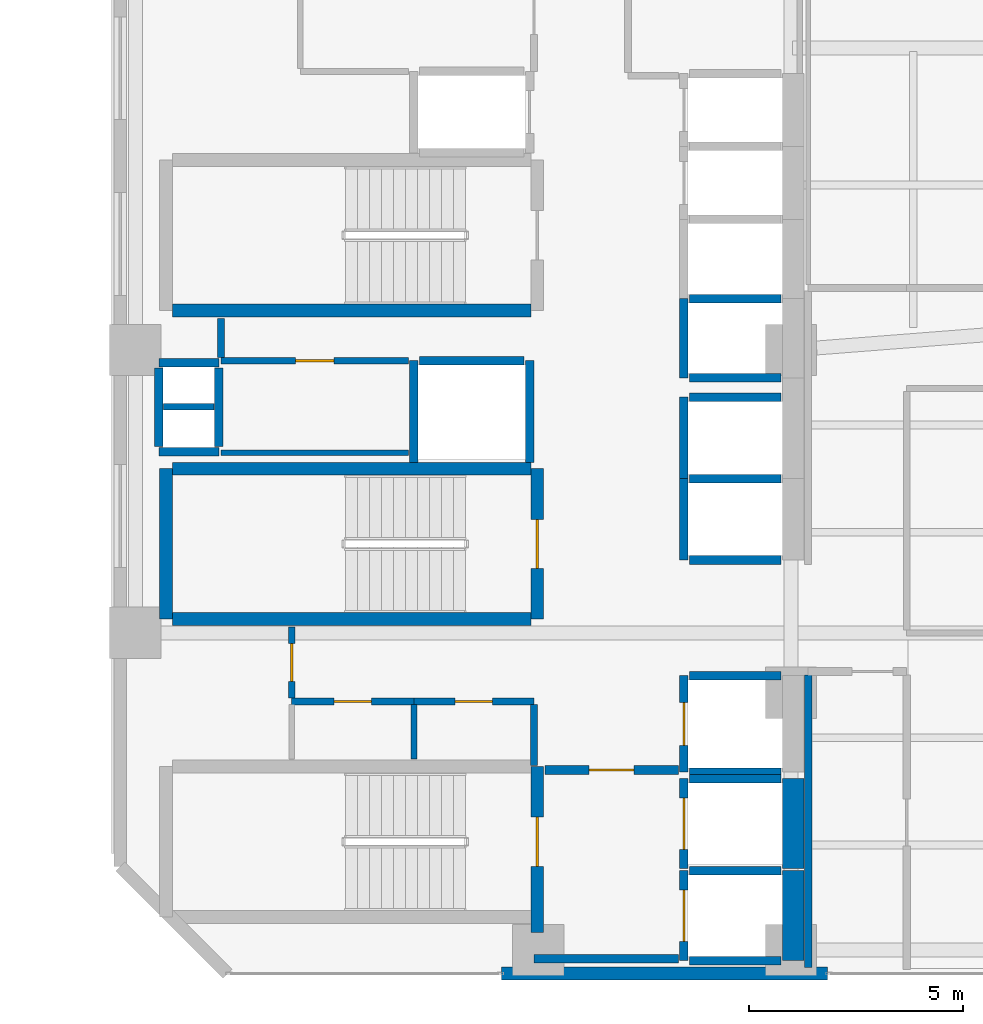
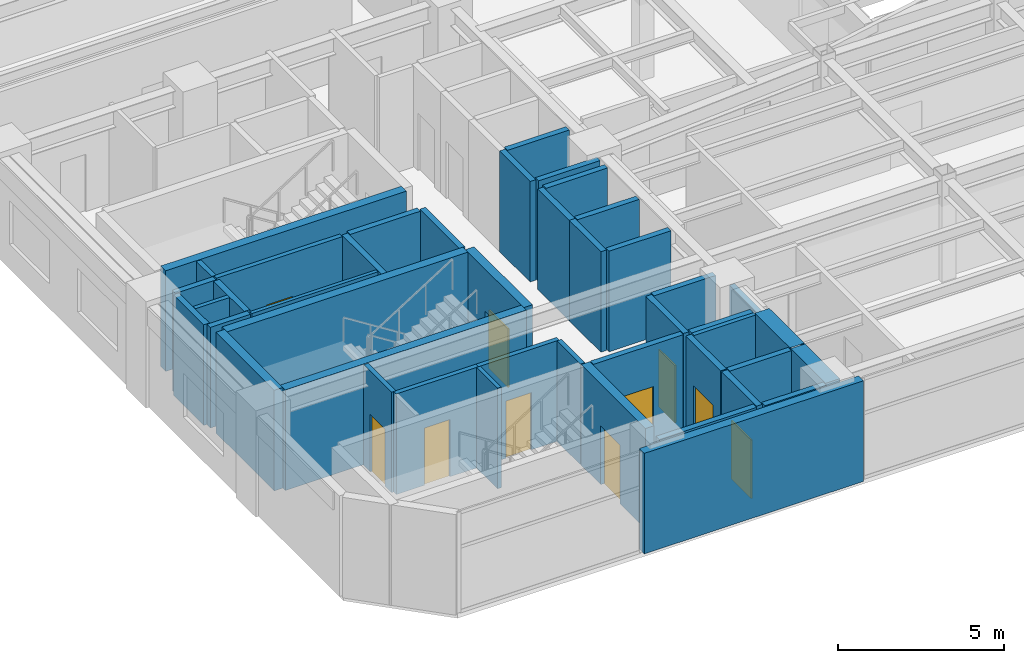
# One storey, part 9 of 15: 44 walls, 10 doors, 10 openings.
"""IFC4 building model written with IfcOpenShell, lengths in metres."""

from ifc_helpers import new_model, si_unit, direction, frame, frame_2d, origin, place, context, subcontext, project, spatial, rectangle, extrude, material, layer, layer_set, type_object, element, fill, save


model = new_model("IFC4")

# Units and contexts
model_context = context("Model", 3, precision=1e-05, world=origin(), true_north=direction((0.0, 1.0)))
body_context = subcontext(model_context, "Body", "Model", "MODEL_VIEW")
ifc_project = project(units=[si_unit("LENGTHUNIT", "METRE"), si_unit("AREAUNIT", "SQUARE_METRE"), si_unit("VOLUMEUNIT", "CUBIC_METRE"), si_unit("PLANEANGLEUNIT", "RADIAN"), si_unit("MASSUNIT", "GRAM", prefix="KILO")], contexts=[model_context])

# Site, building, storey
site_placement = place(None, origin())
site = spatial("IfcSite", under=ifc_project, at=site_placement, CompositionType="ELEMENT")
building_placement = place(site_placement, origin())
building = spatial("IfcBuilding", under=site, at=building_placement, Name="Mawjaban Terraces University", CompositionType="ELEMENT")
storey_placement = place(building_placement, frame((0.0, 0.0, 119.0)))
storey = spatial("IfcBuildingStorey", under=building, at=storey_placement, Name="L28", CompositionType="ELEMENT", Elevation=119.0)

# Walls
ifc_material_1 = material(Name="Acoustic masonry blockwork", Category="masonry")
ifc_layer_1 = layer(ifc_material_1, 0.179931640625)
ifc_layer_set_1 = layer_set([ifc_layer_1], Name="Acoustic masonry blockwork")
wall_type_1 = type_object("IfcWallType", Name="AcousticStudioWall_180", PredefinedType="PARTITIONING", material=ifc_layer_set_1)
wall_1_placement = place(storey_placement, frame((38.050048828125, 6.965087890625, 0.0), z_axis=(0.0, 0.0, 1.0), x_axis=(0.0, -1.0, 0.0)))
element("IfcWall", 1, at=wall_1_placement, inside=storey, type_object=wall_type_1, Name="L28 Design Studio 1 Partition 38", PredefinedType="PARTITIONING", context=body_context, shape_type="SweptSolid", body=[
    extrude(rectangle(XDim=6.820068359375, YDim=0.179931640625, at=frame_2d((3.41015625, 0.0))), origin(), (0.0, 0.0, 1.0), 3.073974609375),
])
ifc_material_2 = material(Name="Concrete C60/75", Category="concrete")
ifc_layer_2 = layer(ifc_material_2, 0.5)
ifc_layer_set_2 = layer_set([ifc_layer_2], Name="Concrete C60/75")
wall_type_2 = type_object("IfcWallType", Name="CoreShearWall_500", PredefinedType="SHEAR", material=ifc_layer_set_2)
wall_2_placement = place(storey_placement, frame((37.699951171875, 0.300048828125, 0.0), z_axis=(0.0, 0.0, 1.0), x_axis=(0.0, 1.0, 0.0)))
element("IfcWall", 2, at=wall_2_placement, inside=storey, type_object=wall_type_2, Name="L28 Lift FL-1 Hoistway Wall East", PredefinedType="SHEAR", context=body_context, shape_type="SweptSolid", body=[
    extrude(rectangle(XDim=2.099853515625, YDim=0.5, at=frame_2d((1.0498046875, 0.0))), origin(), (0.0, 0.0, 1.0), 3.68994140625),
])
wall_3_placement = place(storey_placement, frame((37.699951171875, 2.449951171875, 0.0), z_axis=(0.0, 0.0, 1.0), x_axis=(0.0, 1.0, 0.0)))
element("IfcWall", 3, at=wall_3_placement, inside=storey, type_object=wall_type_2, Name="L28 Lift FL-2 Hoistway Wall East", PredefinedType="SHEAR", context=body_context, shape_type="SweptSolid", body=[
    extrude(rectangle(XDim=2.10009765625, YDim=0.5, at=frame_2d((1.050048828125, 0.0))), origin(), (0.0, 0.0, 1.0), 3.68994140625),
])

# Wall, opening, door
ifc_material_3 = material(Name="Fire-rated gypsum board on steel stud", Category="steel")
ifc_layer_3 = layer(ifc_material_3, 0.159912109375)
ifc_layer_set_3 = layer_set([ifc_layer_3], Name="Fire-rated gypsum board on steel stud")
wall_type_3 = type_object("IfcWallType", Name="CorridorPartition_160", PredefinedType="PARTITIONING", material=ifc_layer_set_3)
wall_4_placement = place(storey_placement, frame((24.35009765625, 14.300048828125, 0.0), z_axis=(0.0, 0.0, 1.0), x_axis=(1.0, 0.0, 0.0)))
wall_4 = element("IfcWall", 4, at=wall_4_placement, inside=storey, type_object=wall_type_3, Name="L28 Core Riser Access Passage Partition 2", PredefinedType="PARTITIONING", context=body_context, shape_type="SweptSolid", body=[
    extrude(rectangle(XDim=4.369873046875, YDim=0.159912109375, at=frame_2d((2.18505859375, 0.0))), origin(), (0.0, 0.0, 1.0), 3.68994140625),
])
opening_1_placement = place(wall_4_placement, frame((1.735107421875, 0.0, 0.0)))
opening_1 = element("IfcOpeningElement", 5, at=opening_1_placement, cuts=wall_4, Name="Opening ID-090", PredefinedType="OPENING", context=body_context, shape_type="SweptSolid", body=[
    extrude(rectangle(XDim=0.89990234375, YDim=2.10009765625, at=frame_2d((0.449951171875, 1.050048828125))), frame((0.0, 0.08984375, 0.0), z_axis=(0.0, -1.0, 0.0), x_axis=(1.0, 0.0, 0.0)), (0.0, 0.0, 1.0), 0.179931640625),
])
ifc_material_4 = material(Name="Powder-coated steel frame and solid acoustic timber leaf", Category="steel")
door_type_1 = type_object("IfcDoorType", Name="OfficeDoor_900x2100", OperationType="NOTDEFINED", PredefinedType="DOOR", material=ifc_material_4)
door_1_placement = place(opening_1_placement, origin())
door_1 = element("IfcDoor", 6, at=door_1_placement, inside=storey, type_object=door_type_1, Name="L28 Cleaner Store Door", OperationType="SINGLE_SWING_LEFT", OverallHeight=2.10009765625, OverallWidth=0.89990234375, PredefinedType="DOOR", context=body_context, shape_type="SweptSolid", body=[
    extrude(rectangle(XDim=0.89990234375, YDim=2.10009765625, at=frame_2d((0.449951171875, 1.050048828125))), frame((0.0, 0.02490234375, 0.0), z_axis=(0.0, -1.0, 0.0), x_axis=(1.0, 0.0, 0.0)), (0.0, 0.0, 1.0), 0.050048828125),
])
fill(opening_1, door_1)

wall_5_placement = place(storey_placement, frame((26.0, 6.35009765625, 0.0), z_axis=(0.0, 0.0, 1.0), x_axis=(1.0, 0.0, 0.0)))
wall_5 = element("IfcWall", 7, at=wall_5_placement, inside=storey, type_object=wall_type_3, Name="L28 Core Washroom Lobby Partition 3", PredefinedType="PARTITIONING", context=body_context, shape_type="SweptSolid", body=[
    extrude(rectangle(XDim=2.85009765625, YDim=0.159912109375, at=frame_2d((1.425048828125, 0.0))), origin(), (0.0, 0.0, 1.0), 3.68994140625),
])
opening_2_placement = place(wall_5_placement, frame((0.985107421875, 0.0, 0.0)))
opening_2 = element("IfcOpeningElement", 8, at=opening_2_placement, cuts=wall_5, Name="Opening ID-088", PredefinedType="OPENING", context=body_context, shape_type="SweptSolid", body=[
    extrude(rectangle(XDim=0.8798828125, YDim=2.10009765625, at=frame_2d((0.43994140625, 1.050048828125))), frame((0.0, 0.08984375, 0.0), z_axis=(0.0, -1.0, 0.0), x_axis=(1.0, 0.0, 0.0)), (0.0, 0.0, 1.0), 0.179931640625),
])
door_type_2 = type_object("IfcDoorType", Name="ToiletDoor_880x2100", OperationType="NOTDEFINED", PredefinedType="DOOR", material=ifc_material_4)
door_2_placement = place(opening_2_placement, origin())
door_2 = element("IfcDoor", 9, at=door_2_placement, inside=storey, type_object=door_type_2, Name="L28 Male Toilet Door", OperationType="SINGLE_SWING_LEFT", OverallHeight=2.10009765625, OverallWidth=0.8798828125, PredefinedType="DOOR", context=body_context, shape_type="SweptSolid", body=[
    extrude(rectangle(XDim=0.8798828125, YDim=2.10009765625, at=frame_2d((0.43994140625, 1.050048828125))), frame((0.0, 0.02490234375, 0.0), z_axis=(0.0, -1.0, 0.0), x_axis=(1.0, 0.0, 0.0)), (0.0, 0.0, 1.0), 0.050048828125),
])
fill(opening_2, door_2)

wall_6_placement = place(storey_placement, frame((28.85009765625, 6.35009765625, 0.0), z_axis=(0.0, 0.0, 1.0), x_axis=(1.0, 0.0, 0.0)))
wall_6 = element("IfcWall", 10, at=wall_6_placement, inside=storey, type_object=wall_type_3, Name="L28 Core Washroom Lobby Partition 6", PredefinedType="PARTITIONING", context=body_context, shape_type="SweptSolid", body=[
    extrude(rectangle(XDim=2.7998046875, YDim=0.159912109375, at=frame_2d((1.39990234375, 0.0))), origin(), (0.0, 0.0, 1.0), 3.68994140625),
])
opening_3_placement = place(wall_6_placement, frame((0.9599609375, 0.0, 0.0)))
opening_3 = element("IfcOpeningElement", 11, at=opening_3_placement, cuts=wall_6, Name="Opening ID-088", PredefinedType="OPENING", context=body_context, shape_type="SweptSolid", body=[
    extrude(rectangle(XDim=0.8798828125, YDim=2.10009765625, at=frame_2d((0.43994140625, 1.050048828125))), frame((0.0, 0.08984375, 0.0), z_axis=(0.0, -1.0, 0.0), x_axis=(1.0, 0.0, 0.0)), (0.0, 0.0, 1.0), 0.179931640625),
])
door_3_placement = place(opening_3_placement, origin())
door_3 = element("IfcDoor", 12, at=door_3_placement, inside=storey, type_object=door_type_2, Name="L28 Accessible Toilet Door", OperationType="SINGLE_SWING_RIGHT", OverallHeight=2.10009765625, OverallWidth=0.8798828125, PredefinedType="DOOR", context=body_context, shape_type="SweptSolid", body=[
    extrude(rectangle(XDim=0.8798828125, YDim=2.10009765625, at=frame_2d((0.43994140625, 1.050048828125))), frame((0.0, 0.02490234375, 0.0), z_axis=(0.0, -1.0, 0.0), x_axis=(1.0, 0.0, 0.0)), (0.0, 0.0, 1.0), 0.050048828125),
])
fill(opening_3, door_3)

# Wall
wall_7_placement = place(storey_placement, frame((24.35009765625, 15.2900390625, 0.0), z_axis=(0.0, 0.0, 1.0), x_axis=(0.0, -1.0, 0.0)))
element("IfcWall", 13, at=wall_7_placement, inside=storey, type_object=wall_type_3, Name="L28 Core Riser Access Passage Partition 23", PredefinedType="PARTITIONING", context=body_context, shape_type="SweptSolid", body=[
    extrude(rectangle(XDim=0.9150390625, YDim=0.159912109375, at=frame_2d((0.45751953125, 0.0))), origin(), (0.0, 0.0, 1.0), 3.68994140625),
])

# Wall, opening, door
wall_8_placement = place(storey_placement, frame((26.0, 8.090087890625, 0.0), z_axis=(0.0, 0.0, 1.0), x_axis=(0.0, -1.0, 0.0)))
wall_8 = element("IfcWall", 14, at=wall_8_placement, inside=storey, type_object=wall_type_3, Name="L28 Core Washroom Lobby Partition 25", PredefinedType="PARTITIONING", context=body_context, shape_type="SweptSolid", body=[
    extrude(rectangle(XDim=1.6650390625, YDim=0.159912109375, at=frame_2d((0.83251953125, 0.0))), origin(), (0.0, 0.0, 1.0), 3.68994140625),
])
opening_4_placement = place(wall_8_placement, frame((0.39306640625, 0.0, 0.0)))
opening_4 = element("IfcOpeningElement", 15, at=opening_4_placement, cuts=wall_8, Name="Opening ID-088", PredefinedType="OPENING", context=body_context, shape_type="SweptSolid", body=[
    extrude(rectangle(XDim=0.8798828125, YDim=2.10009765625, at=frame_2d((0.43994140625, 1.050048828125))), frame((0.0, 0.08984375, 0.0), z_axis=(0.0, -1.0, 0.0), x_axis=(1.0, 0.0, 0.0)), (0.0, 0.0, 1.0), 0.179931640625),
])
door_4_placement = place(opening_4_placement, origin())
door_4 = element("IfcDoor", 16, at=door_4_placement, inside=storey, type_object=door_type_2, Name="L28 Ablution Room Door", OperationType="SINGLE_SWING_RIGHT", OverallHeight=2.10009765625, OverallWidth=0.8798828125, PredefinedType="DOOR", context=body_context, shape_type="SweptSolid", body=[
    extrude(rectangle(XDim=0.8798828125, YDim=2.10009765625, at=frame_2d((0.43994140625, 1.050048828125))), frame((0.0, 0.02490234375, 0.0), z_axis=(0.0, -1.0, 0.0), x_axis=(1.0, 0.0, 0.0)), (0.0, 0.0, 1.0), 0.050048828125),
])
fill(opening_4, door_4)

# Walls
wall_9_placement = place(storey_placement, frame((31.64990234375, 4.860107421875, 0.0), z_axis=(0.0, 0.0, 1.0), x_axis=(0.0, 1.0, 0.0)))
element("IfcWall", 17, at=wall_9_placement, inside=storey, type_object=wall_type_3, Name="L28 Accessible Toilet Partition 28", PredefinedType="PARTITIONING", context=body_context, shape_type="SweptSolid", body=[
    extrude(rectangle(XDim=1.414794921875, YDim=0.159912109375, at=frame_2d((0.70751953125, 0.0))), origin(), (0.0, 0.0, 1.0), 3.68994140625),
])
ifc_material_5 = material(Name="Insulated terracotta rainscreen on concrete backup C40/50", Category="masonry")
ifc_layer_4 = layer(ifc_material_5, 0.300048828125)
ifc_layer_set_4 = layer_set([ifc_layer_4], Name="Insulated terracotta rainscreen on concrete backup C40/50")
wall_type_4 = type_object("IfcWallType", Name="ExtTerracottaWall_300", PredefinedType="SOLIDWALL", material=ifc_layer_set_4)
wall_10_placement = place(storey_placement, frame((30.89990234375, 0.0, 0.0), z_axis=(0.0, 0.0, 1.0), x_axis=(1.0, 0.0, 0.0)))
element("IfcWall", 18, at=wall_10_placement, inside=storey, type_object=wall_type_4, Name="L28 Exterior Terracotta Pier Wall 1.1", PredefinedType="SOLIDWALL", context=body_context, shape_type="SweptSolid", body=[
    extrude(rectangle(XDim=7.60009765625, YDim=0.300048828125, at=frame_2d((3.800048828125, 0.0))), origin(), (0.0, 0.0, 1.0), 3.68994140625),
])

# Wall, opening, door
ifc_material_6 = material(Name="Concrete C40/50", Category="concrete")
ifc_layer_5 = layer(ifc_material_6, 0.199951171875)
ifc_layer_set_5 = layer_set([ifc_layer_5], Name="Concrete C40/50")
wall_type_5 = type_object("IfcWallType", Name="FireLobbyWall_200", PredefinedType="SOLIDWALL", material=ifc_layer_set_5)
wall_11_placement = place(storey_placement, frame((35.14990234375, 2.39990234375, 0.0), z_axis=(0.0, 0.0, 1.0), x_axis=(0.0, -1.0, 0.0)))
wall_11 = element("IfcWall", 19, at=wall_11_placement, inside=storey, type_object=wall_type_5, Name="L28 Lift FL-1 Hoistway Wall West", PredefinedType="SOLIDWALL", context=body_context, shape_type="SweptSolid", body=[
    extrude(rectangle(XDim=2.099853515625, YDim=0.199951171875, at=frame_2d((1.0498046875, 0.0))), origin(), (0.0, 0.0, 1.0), 3.68994140625),
])
opening_5_placement = place(wall_11_placement, frame((0.449951171875, 0.0, 0.0)))
opening_5 = element("IfcOpeningElement", 20, at=opening_5_placement, cuts=wall_11, Name="Opening LD-FL-1", PredefinedType="OPENING", context=body_context, shape_type="SweptSolid", body=[
    extrude(rectangle(XDim=1.199951171875, YDim=2.14990234375, at=frame_2d((0.60009765625, 1.074951171875))), frame((0.0, 0.10986328125, 0.0), z_axis=(0.0, -1.0, 0.0), x_axis=(1.0, 0.0, 0.0)), (0.0, 0.0, 1.0), 0.219970703125),
])
ifc_material_7 = material(Name="Powder-coated steel frame and fire-rated steel-faced leaf", Category="steel")
door_type_3 = type_object("IfcDoorType", Name="LiftLandingFSAE_1200x2150", OperationType="NOTDEFINED", PredefinedType="DOOR", material=ifc_material_7)
door_5_placement = place(opening_5_placement, origin())
door_5 = element("IfcDoor", 21, at=door_5_placement, inside=storey, type_object=door_type_3, Name="L28 Lift FL-1 Sliding Landing Door", OperationType="DOUBLE_DOOR_SLIDING", OverallHeight=2.14990234375, OverallWidth=1.199951171875, PredefinedType="DOOR", context=body_context, shape_type="SweptSolid", body=[
    extrude(rectangle(XDim=1.199951171875, YDim=2.14990234375, at=frame_2d((0.60009765625, 1.074951171875))), frame((0.0, 0.02490234375, 0.0), z_axis=(0.0, -1.0, 0.0), x_axis=(1.0, 0.0, 0.0)), (0.0, 0.0, 1.0), 0.050048828125),
])
fill(opening_5, door_5)

# Walls
for number, where, z_axis, x_axis, name in (
    (22, (35.280029296875, 0.300048828125, 0.0), (0.0, 0.0, 1.0), (1.0, 0.0, 0.0), "L28 Lift FL-1 Hoistway Wall South"),
    (23, (37.419921875, 2.39990234375, 0.0), (0.0, 0.0, 1.0), (-1.0, 0.0, 0.0), "L28 Lift FL-1 Hoistway Wall North"),
):
    element("IfcWall", number, at=place(storey_placement, frame(where, z_axis=z_axis, x_axis=x_axis)), inside=storey, type_object=wall_type_5, Name=name, PredefinedType="SOLIDWALL", context=body_context, shape_type="SweptSolid", body=[
        extrude(rectangle(XDim=2.139892578125, YDim=0.199951171875, at=frame_2d((1.06982421875, 0.0))), origin(), (0.0, 0.0, 1.0), 3.68994140625),
    ])

# Wall, opening, door
wall_12_placement = place(storey_placement, frame((35.14990234375, 4.550048828125, 0.0), z_axis=(0.0, 0.0, 1.0), x_axis=(0.0, -1.0, 0.0)))
wall_12 = element("IfcWall", 24, at=wall_12_placement, inside=storey, type_object=wall_type_5, Name="L28 Lift FL-2 Hoistway Wall West", PredefinedType="SOLIDWALL", context=body_context, shape_type="SweptSolid", body=[
    extrude(rectangle(XDim=2.10009765625, YDim=0.199951171875, at=frame_2d((1.050048828125, 0.0))), origin(), (0.0, 0.0, 1.0), 3.68994140625),
])
opening_6_placement = place(wall_12_placement, frame((0.449951171875, 0.0, 0.0)))
opening_6 = element("IfcOpeningElement", 25, at=opening_6_placement, cuts=wall_12, Name="Opening LD-FL-2", PredefinedType="OPENING", context=body_context, shape_type="SweptSolid", body=[
    extrude(rectangle(XDim=1.199951171875, YDim=2.14990234375, at=frame_2d((0.60009765625, 1.074951171875))), frame((0.0, 0.10986328125, 0.0), z_axis=(0.0, -1.0, 0.0), x_axis=(1.0, 0.0, 0.0)), (0.0, 0.0, 1.0), 0.219970703125),
])
door_6_placement = place(opening_6_placement, origin())
door_6 = element("IfcDoor", 26, at=door_6_placement, inside=storey, type_object=door_type_3, Name="L28 Lift FL-2 Sliding Landing Door", OperationType="DOUBLE_DOOR_SLIDING", OverallHeight=2.14990234375, OverallWidth=1.199951171875, PredefinedType="DOOR", context=body_context, shape_type="SweptSolid", body=[
    extrude(rectangle(XDim=1.199951171875, YDim=2.14990234375, at=frame_2d((0.60009765625, 1.074951171875))), frame((0.0, 0.02490234375, 0.0), z_axis=(0.0, -1.0, 0.0), x_axis=(1.0, 0.0, 0.0)), (0.0, 0.0, 1.0), 0.050048828125),
])
fill(opening_6, door_6)

# Wall
wall_13_placement = place(storey_placement, frame((37.419921875, 4.550048828125, 0.0), z_axis=(0.0, 0.0, 1.0), x_axis=(-1.0, 0.0, 0.0)))
element("IfcWall", 27, at=wall_13_placement, inside=storey, type_object=wall_type_5, Name="L28 Lift FL-2 Hoistway Wall North", PredefinedType="SOLIDWALL", context=body_context, shape_type="SweptSolid", body=[
    extrude(rectangle(XDim=2.139892578125, YDim=0.199951171875, at=frame_2d((1.06982421875, 0.0))), origin(), (0.0, 0.0, 1.0), 3.68994140625),
])

# Wall, opening, door
wall_14_placement = place(storey_placement, frame((35.14990234375, 6.949951171875, 0.0), z_axis=(0.0, 0.0, 1.0), x_axis=(0.0, -1.0, 0.0)))
wall_14 = element("IfcWall", 28, at=wall_14_placement, inside=storey, type_object=wall_type_5, Name="L28 Lift SL-1 Hoistway Wall West", PredefinedType="SOLIDWALL", context=body_context, shape_type="SweptSolid", body=[
    extrude(rectangle(XDim=2.25, YDim=0.199951171875, at=frame_2d((1.125, 0.0))), origin(), (0.0, 0.0, 1.0), 3.68994140625),
])
opening_7_placement = place(wall_14_placement, frame((0.625, 0.0, 0.0)))
opening_7 = element("IfcOpeningElement", 29, at=opening_7_placement, cuts=wall_14, Name="Opening LD-SL-1", PredefinedType="OPENING", context=body_context, shape_type="SweptSolid", body=[
    extrude(rectangle(XDim=1.0, YDim=2.10009765625, at=frame_2d((0.5, 1.050048828125))), frame((0.0, 0.10986328125, 0.0), z_axis=(0.0, -1.0, 0.0), x_axis=(1.0, 0.0, 0.0)), (0.0, 0.0, 1.0), 0.219970703125),
])
door_type_4 = type_object("IfcDoorType", Name="LiftLandingSliding_1000x2100", OperationType="NOTDEFINED", PredefinedType="DOOR", material=ifc_material_7)
door_7_placement = place(opening_7_placement, origin())
door_7 = element("IfcDoor", 30, at=door_7_placement, inside=storey, type_object=door_type_4, Name="L28 Lift SL-1 Sliding Landing Door", OperationType="DOUBLE_DOOR_SLIDING", OverallHeight=2.10009765625, OverallWidth=1.0, PredefinedType="DOOR", context=body_context, shape_type="SweptSolid", body=[
    extrude(rectangle(XDim=1.0, YDim=2.10009765625, at=frame_2d((0.5, 1.050048828125))), frame((0.0, 0.02490234375, 0.0), z_axis=(0.0, -1.0, 0.0), x_axis=(1.0, 0.0, 0.0)), (0.0, 0.0, 1.0), 0.050048828125),
])
fill(opening_7, door_7)

# Walls
for number, where, z_axis, x_axis, name in (
    (31, (35.280029296875, 4.699951171875, 0.0), (0.0, 0.0, 1.0), (1.0, 0.0, 0.0), "L28 Lift SL-1 Hoistway Wall South"),
    (32, (37.419921875, 6.949951171875, 0.0), (0.0, 0.0, 1.0), (-1.0, 0.0, 0.0), "L28 Lift SL-1 Hoistway Wall North"),
):
    element("IfcWall", number, at=place(storey_placement, frame(where, z_axis=z_axis, x_axis=x_axis)), inside=storey, type_object=wall_type_5, Name=name, PredefinedType="SOLIDWALL", context=body_context, shape_type="SweptSolid", body=[
        extrude(rectangle(XDim=2.139892578125, YDim=0.199951171875, at=frame_2d((1.06982421875, 0.0))), origin(), (0.0, 0.0, 1.0), 3.68994140625),
    ])
wall_15_placement = place(storey_placement, frame((35.14990234375, 11.550048828125, 0.0), z_axis=(0.0, 0.0, 1.0), x_axis=(0.0, -1.0, 0.0)))
element("IfcWall", 33, at=wall_15_placement, inside=storey, type_object=wall_type_5, Name="L28 Lift PL-H1 Hoistway Wall West", PredefinedType="SOLIDWALL", context=body_context, shape_type="SweptSolid", body=[
    extrude(rectangle(XDim=1.900146484375, YDim=0.199951171875, at=frame_2d((0.9501953125, 0.0))), origin(), (0.0, 0.0, 1.0), 3.68994140625),
])
for number, where, z_axis, x_axis, name in (
    (34, (35.280029296875, 9.64990234375, 0.0), (0.0, 0.0, 1.0), (1.0, 0.0, 0.0), "L28 Lift PL-H1 Hoistway Wall South"),
    (35, (37.419921875, 11.550048828125, 0.0), (0.0, 0.0, 1.0), (-1.0, 0.0, 0.0), "L28 Lift PL-H1 Hoistway Wall North"),
):
    element("IfcWall", number, at=place(storey_placement, frame(where, z_axis=z_axis, x_axis=x_axis)), inside=storey, type_object=wall_type_5, Name=name, PredefinedType="SOLIDWALL", context=body_context, shape_type="SweptSolid", body=[
        extrude(rectangle(XDim=2.139892578125, YDim=0.199951171875, at=frame_2d((1.06982421875, 0.0))), origin(), (0.0, 0.0, 1.0), 3.68994140625),
    ])
wall_16_placement = place(storey_placement, frame((35.14990234375, 13.449951171875, 0.0), z_axis=(0.0, 0.0, 1.0), x_axis=(0.0, -1.0, 0.0)))
element("IfcWall", 36, at=wall_16_placement, inside=storey, type_object=wall_type_5, Name="L28 Lift PL-H2 Hoistway Wall West", PredefinedType="SOLIDWALL", context=body_context, shape_type="SweptSolid", body=[
    extrude(rectangle(XDim=1.89990234375, YDim=0.199951171875, at=frame_2d((0.949951171875, 0.0))), origin(), (0.0, 0.0, 1.0), 3.68994140625),
])
wall_17_placement = place(storey_placement, frame((37.419921875, 13.449951171875, 0.0), z_axis=(0.0, 0.0, 1.0), x_axis=(-1.0, 0.0, 0.0)))
element("IfcWall", 37, at=wall_17_placement, inside=storey, type_object=wall_type_5, Name="L28 Lift PL-H2 Hoistway Wall North", PredefinedType="SOLIDWALL", context=body_context, shape_type="SweptSolid", body=[
    extrude(rectangle(XDim=2.139892578125, YDim=0.199951171875, at=frame_2d((1.06982421875, 0.0))), origin(), (0.0, 0.0, 1.0), 3.68994140625),
])
for number, where, z_axis, x_axis, name in (
    (38, (28.85009765625, 14.300048828125, 0.0), (0.0, 0.0, 1.0), (0.0, -1.0, 0.0), "L28 Lift PL-H3 Hoistway Wall West"),
    (39, (31.550048828125, 11.929931640625, 0.0), (0.0, 0.0, 1.0), (0.0, 1.0, 0.0), "L28 Lift PL-H3 Hoistway Wall East"),
):
    element("IfcWall", number, at=place(storey_placement, frame(where, z_axis=z_axis, x_axis=x_axis)), inside=storey, type_object=wall_type_5, Name=name, PredefinedType="SOLIDWALL", context=body_context, shape_type="SweptSolid", body=[
        extrude(rectangle(XDim=2.3701171875, YDim=0.199951171875, at=frame_2d((1.18505859375, 0.0))), origin(), (0.0, 0.0, 1.0), 3.68994140625),
    ])
wall_18_placement = place(storey_placement, frame((31.419921875, 14.300048828125, 0.0), z_axis=(0.0, 0.0, 1.0), x_axis=(-1.0, 0.0, 0.0)))
element("IfcWall", 40, at=wall_18_placement, inside=storey, type_object=wall_type_5, Name="L28 Lift PL-H3 Hoistway Wall North", PredefinedType="SOLIDWALL", context=body_context, shape_type="SweptSolid", body=[
    extrude(rectangle(XDim=2.43994140625, YDim=0.199951171875, at=frame_2d((1.219970703125, 0.0))), origin(), (0.0, 0.0, 1.0), 3.68994140625),
])
wall_19_placement = place(storey_placement, frame((35.14990234375, 15.75, 0.0), z_axis=(0.0, 0.0, 1.0), x_axis=(0.0, -1.0, 0.0)))
element("IfcWall", 41, at=wall_19_placement, inside=storey, type_object=wall_type_5, Name="L28 Lift OL-1 Hoistway Wall West", PredefinedType="SOLIDWALL", context=body_context, shape_type="SweptSolid", body=[
    extrude(rectangle(XDim=1.85009765625, YDim=0.199951171875, at=frame_2d((0.925048828125, 0.0))), origin(), (0.0, 0.0, 1.0), 3.68994140625),
])
for number, where, z_axis, x_axis, name in (
    (42, (35.280029296875, 13.89990234375, 0.0), (0.0, 0.0, 1.0), (1.0, 0.0, 0.0), "L28 Lift OL-1 Hoistway Wall South"),
    (43, (37.419921875, 15.75, 0.0), (0.0, 0.0, 1.0), (-1.0, 0.0, 0.0), "L28 Lift OL-1 Hoistway Wall North"),
):
    element("IfcWall", number, at=place(storey_placement, frame(where, z_axis=z_axis, x_axis=x_axis)), inside=storey, type_object=wall_type_5, Name=name, PredefinedType="SOLIDWALL", context=body_context, shape_type="SweptSolid", body=[
        extrude(rectangle(XDim=2.139892578125, YDim=0.199951171875, at=frame_2d((1.06982421875, 0.0))), origin(), (0.0, 0.0, 1.0), 3.68994140625),
    ])
for number, where, z_axis, x_axis, name in (
    (44, (22.89990234375, 14.25, 0.0), (0.0, 0.0, 1.0), (1.0, 0.0, 0.0), "L28 MEP Riser Shaft Wall N"),
    (45, (22.89990234375, 12.179931640625, 0.0), (0.0, 0.0, 1.0), (1.0, 0.0, 0.0), "L28 MEP Riser Shaft Wall S"),
):
    element("IfcWall", number, at=place(storey_placement, frame(where, z_axis=z_axis, x_axis=x_axis)), inside=storey, type_object=wall_type_5, Name=name, PredefinedType="SOLIDWALL", context=body_context, shape_type="SweptSolid", body=[
        extrude(rectangle(XDim=1.400146484375, YDim=0.199951171875, at=frame_2d((0.7001953125, 0.0))), origin(), (0.0, 0.0, 1.0), 3.68994140625),
    ])
for number, where, z_axis, x_axis, name in (
    (46, (24.300048828125, 12.300048828125, 0.0), (0.0, 0.0, 1.0), (0.0, 1.0, 0.0), "L28 MEP Riser Shaft Wall E"),
    (47, (22.89990234375, 12.300048828125, 0.0), (0.0, 0.0, 1.0), (0.0, 1.0, 0.0), "L28 MEP Riser Shaft Wall W"),
):
    element("IfcWall", number, at=place(storey_placement, frame(where, z_axis=z_axis, x_axis=x_axis)), inside=storey, type_object=wall_type_5, Name=name, PredefinedType="SOLIDWALL", context=body_context, shape_type="SweptSolid", body=[
        extrude(rectangle(XDim=1.829833984375, YDim=0.199951171875, at=frame_2d((0.9150390625, 0.0))), origin(), (0.0, 0.0, 1.0), 3.68994140625),
    ])
wall_20_placement = place(storey_placement, frame((31.64990234375, 0.35009765625, 0.0), z_axis=(0.0, 0.0, 1.0), x_axis=(1.0, 0.0, 0.0)))
element("IfcWall", 48, at=wall_20_placement, inside=storey, type_object=wall_type_5, Name="L28 Firefighting Lift Lobby Partition 7", PredefinedType="SOLIDWALL", context=body_context, shape_type="SweptSolid", body=[
    extrude(rectangle(XDim=3.3701171875, YDim=0.199951171875, at=frame_2d((1.68505859375, 0.0))), origin(), (0.0, 0.0, 1.0), 3.68994140625),
])

# Wall, opening, door
wall_21_placement = place(storey_placement, frame((35.02001953125, 4.75, 0.0), z_axis=(0.0, 0.0, 1.0), x_axis=(-1.0, 0.0, 0.0)))
wall_21 = element("IfcWall", 49, at=wall_21_placement, inside=storey, type_object=wall_type_5, Name="L28 Firefighting Lift Lobby Partition 9", PredefinedType="SOLIDWALL", context=body_context, shape_type="SweptSolid", body=[
    extrude(rectangle(XDim=3.110107421875, YDim=0.199951171875, at=frame_2d((1.55517578125, 0.0))), origin(), (0.0, 0.0, 1.0), 3.68994140625),
])
opening_8_placement = place(wall_21_placement, frame((1.030029296875, 0.0, 0.0)))
opening_8 = element("IfcOpeningElement", 50, at=opening_8_placement, cuts=wall_21, Name="Opening FD-105", PredefinedType="OPENING", context=body_context, shape_type="SweptSolid", body=[
    extrude(rectangle(XDim=1.050048828125, YDim=2.14990234375, at=frame_2d((0.52490234375, 1.074951171875))), frame((0.0, 0.10986328125, 0.0), z_axis=(0.0, -1.0, 0.0), x_axis=(1.0, 0.0, 0.0)), (0.0, 0.0, 1.0), 0.219970703125),
])
door_type_5 = type_object("IfcDoorType", Name="FireLobbyDoor_1050x2150", OperationType="NOTDEFINED", PredefinedType="DOOR", material=ifc_material_7)
door_8_placement = place(opening_8_placement, origin())
door_8 = element("IfcDoor", 51, at=door_8_placement, inside=storey, type_object=door_type_5, Name="L28 Firefighting Lift Lobby Door", OperationType="SINGLE_SWING_LEFT", OverallHeight=2.14990234375, OverallWidth=1.050048828125, PredefinedType="DOOR", context=body_context, shape_type="SweptSolid", body=[
    extrude(rectangle(XDim=1.050048828125, YDim=2.14990234375, at=frame_2d((0.52490234375, 1.074951171875))), frame((0.0, 0.02490234375, 0.0), z_axis=(0.0, -1.0, 0.0), x_axis=(1.0, 0.0, 0.0)), (0.0, 0.0, 1.0), 0.050048828125),
])
fill(opening_8, door_8)

# Walls
ifc_material_8 = material(Name="Moisture-resistant gypsum board on steel stud", Category="steel")
ifc_layer_6 = layer(ifc_material_8, 0.14501953125)
ifc_layer_set_6 = layer_set([ifc_layer_6], Name="Moisture-resistant gypsum board on steel stud")
wall_type_6 = type_object("IfcWallType", Name="LabPartition_145", PredefinedType="PARTITIONING", material=ifc_layer_set_6)
wall_22_placement = place(storey_placement, frame((23.010009765625, 13.22509765625, 0.0), z_axis=(0.0, 0.0, 1.0), x_axis=(1.0, 0.0, 0.0)))
element("IfcWall", 52, at=wall_22_placement, inside=storey, type_object=wall_type_6, Name="L28 MEP Riser Shaft Wall M", PredefinedType="PARTITIONING", context=body_context, shape_type="SweptSolid", body=[
    extrude(rectangle(XDim=1.179931640625, YDim=0.14501953125, at=frame_2d((0.58984375, 0.0))), origin(), (0.0, 0.0, 1.0), 3.68994140625),
])
ifc_material_9 = material(Name="Gypsum plasterboard on steel stud", Category="steel")
ifc_layer_7 = layer(ifc_material_9, 0.125)
ifc_layer_set_7 = layer_set([ifc_layer_7], Name="Gypsum plasterboard on steel stud")
wall_type_7 = type_object("IfcWallType", Name="OfficePartition_125", PredefinedType="PARTITIONING", material=ifc_layer_set_7)
wall_23_placement = place(storey_placement, frame((24.35009765625, 12.14990234375, 0.0), z_axis=(0.0, 0.0, 1.0), x_axis=(1.0, 0.0, 0.0)))
element("IfcWall", 53, at=wall_23_placement, inside=storey, type_object=wall_type_7, Name="L28 Cleaner Store Partition 1", PredefinedType="PARTITIONING", context=body_context, shape_type="SweptSolid", body=[
    extrude(rectangle(XDim=4.369873046875, YDim=0.125, at=frame_2d((2.18505859375, 0.0))), origin(), (0.0, 0.0, 1.0), 3.68994140625),
])

# Wall, opening, door
ifc_layer_8 = layer(ifc_material_2, 0.300048828125)
ifc_layer_set_8 = layer_set([ifc_layer_8], Name="Concrete C60/75")
wall_type_8 = type_object("IfcWallType", Name="StairShaftWall_300", PredefinedType="SHEAR", material=ifc_layer_set_8)
wall_24_placement = place(storey_placement, frame((31.72998046875, 0.9599609375, 0.0), z_axis=(0.0, 0.0, 1.0), x_axis=(0.0, 1.0, 0.0)))
wall_24 = element("IfcWall", 54, at=wall_24_placement, inside=storey, type_object=wall_type_8, Name="L28 ST-1 Stair Shaft Wall 4", PredefinedType="SHEAR", context=body_context, shape_type="SweptSolid", body=[
    extrude(rectangle(XDim=3.8701171875, YDim=0.300048828125, at=frame_2d((1.93505859375, 0.0))), origin(), (0.0, 0.0, 1.0), 3.68994140625),
])
opening_9_placement = place(wall_24_placement, frame((1.5400390625, 0.0, 0.0)))
opening_9 = element("IfcOpeningElement", 55, at=opening_9_placement, cuts=wall_24, Name="Opening FD-115", PredefinedType="OPENING", context=body_context, shape_type="SweptSolid", body=[
    extrude(rectangle(XDim=1.14990234375, YDim=2.14990234375, at=frame_2d((0.574951171875, 1.074951171875))), frame((0.0, 0.159912109375, 0.0), z_axis=(0.0, -1.0, 0.0), x_axis=(1.0, 0.0, 0.0)), (0.0, 0.0, 1.0), 0.320068359375),
])
door_type_6 = type_object("IfcDoorType", Name="FireStairDoor_1150x2150", OperationType="NOTDEFINED", PredefinedType="DOOR", material=ifc_material_7)
door_9_placement = place(opening_9_placement, origin())
door_9 = element("IfcDoor", 56, at=door_9_placement, inside=storey, type_object=door_type_6, Name="L28 ST-1 Pressurised Stair Fire Door", OperationType="SINGLE_SWING_RIGHT", OverallHeight=2.14990234375, OverallWidth=1.14990234375, PredefinedType="DOOR", context=body_context, shape_type="SweptSolid", body=[
    extrude(rectangle(XDim=1.14990234375, YDim=2.14990234375, at=frame_2d((0.574951171875, 1.074951171875))), frame((0.0, 0.02490234375, 0.0), z_axis=(0.0, -1.0, 0.0), x_axis=(1.0, 0.0, 0.0)), (0.0, 0.0, 1.0), 0.050048828125),
])
fill(opening_9, door_9)

# Walls
for number, where, z_axis, x_axis, name in (
    (57, (23.219970703125, 15.469970703125, 0.0), (0.0, 0.0, 1.0), (1.0, 0.0, 0.0), "L28 ST-2 Stair Shaft Wall 3"),
    (58, (31.580078125, 11.780029296875, 0.0), (0.0, 0.0, 1.0), (-1.0, 0.0, 0.0), "L28 ST-3 Stair Shaft Wall 1"),
):
    element("IfcWall", number, at=place(storey_placement, frame(where, z_axis=z_axis, x_axis=x_axis)), inside=storey, type_object=wall_type_8, Name=name, PredefinedType="SHEAR", context=body_context, shape_type="SweptSolid", body=[
        extrude(rectangle(XDim=8.360107421875, YDim=0.300048828125, at=frame_2d((4.18017578125, 0.0))), origin(), (0.0, 0.0, 1.0), 3.68994140625),
    ])
wall_25_placement = place(storey_placement, frame((23.070068359375, 11.780029296875, 0.0), z_axis=(0.0, 0.0, 1.0), x_axis=(0.0, -1.0, 0.0)))
element("IfcWall", 59, at=wall_25_placement, inside=storey, type_object=wall_type_8, Name="L28 ST-3 Stair Shaft Wall 2", PredefinedType="SHEAR", context=body_context, shape_type="SweptSolid", body=[
    extrude(rectangle(XDim=3.510009765625, YDim=0.300048828125, at=frame_2d((1.7548828125, 0.0))), origin(), (0.0, 0.0, 1.0), 3.68994140625),
])
wall_26_placement = place(storey_placement, frame((23.219970703125, 8.27001953125, 0.0), z_axis=(0.0, 0.0, 1.0), x_axis=(1.0, 0.0, 0.0)))
element("IfcWall", 60, at=wall_26_placement, inside=storey, type_object=wall_type_8, Name="L28 ST-3 Stair Shaft Wall 3", PredefinedType="SHEAR", context=body_context, shape_type="SweptSolid", body=[
    extrude(rectangle(XDim=8.360107421875, YDim=0.300048828125, at=frame_2d((4.18017578125, 0.0))), origin(), (0.0, 0.0, 1.0), 3.68994140625),
])

# Wall, opening, door
wall_27_placement = place(storey_placement, frame((31.72998046875, 8.27001953125, 0.0), z_axis=(0.0, 0.0, 1.0), x_axis=(0.0, 1.0, 0.0)))
wall_27 = element("IfcWall", 61, at=wall_27_placement, inside=storey, type_object=wall_type_8, Name="L28 ST-3 Stair Shaft Wall 4", PredefinedType="SHEAR", context=body_context, shape_type="SweptSolid", body=[
    extrude(rectangle(XDim=3.510009765625, YDim=0.300048828125, at=frame_2d((1.7548828125, 0.0))), origin(), (0.0, 0.0, 1.0), 3.68994140625),
])
opening_10_placement = place(wall_27_placement, frame((1.179931640625, 0.0, 0.0)))
opening_10 = element("IfcOpeningElement", 62, at=opening_10_placement, cuts=wall_27, Name="Opening FD-115", PredefinedType="OPENING", context=body_context, shape_type="SweptSolid", body=[
    extrude(rectangle(XDim=1.14990234375, YDim=2.14990234375, at=frame_2d((0.574951171875, 1.074951171875))), frame((0.0, 0.159912109375, 0.0), z_axis=(0.0, -1.0, 0.0), x_axis=(1.0, 0.0, 0.0)), (0.0, 0.0, 1.0), 0.320068359375),
])
door_10_placement = place(opening_10_placement, origin())
door_10 = element("IfcDoor", 63, at=door_10_placement, inside=storey, type_object=door_type_6, Name="L28 ST-3 Pressurised Stair Fire Door", OperationType="SINGLE_SWING_RIGHT", OverallHeight=2.14990234375, OverallWidth=1.14990234375, PredefinedType="DOOR", context=body_context, shape_type="SweptSolid", body=[
    extrude(rectangle(XDim=1.14990234375, YDim=2.14990234375, at=frame_2d((0.574951171875, 1.074951171875))), frame((0.0, 0.02490234375, 0.0), z_axis=(0.0, -1.0, 0.0), x_axis=(1.0, 0.0, 0.0)), (0.0, 0.0, 1.0), 0.050048828125),
])
fill(opening_10, door_10)

# Wall
ifc_material_10 = material(Name="Cement-board wet-room partition", Category="masonry")
ifc_layer_9 = layer(ifc_material_10, 0.135009765625)
ifc_layer_set_9 = layer_set([ifc_layer_9], Name="Cement-board wet-room partition")
wall_type_9 = type_object("IfcWallType", Name="WetRoomPartition_135", PredefinedType="PARTITIONING", material=ifc_layer_set_9)
wall_28_placement = place(storey_placement, frame((28.85009765625, 5.010009765625, 0.0), z_axis=(0.0, 0.0, 1.0), x_axis=(0.0, 1.0, 0.0)))
element("IfcWall", 64, at=wall_28_placement, inside=storey, type_object=wall_type_9, Name="L28 Male Toilet Partition 27", PredefinedType="PARTITIONING", context=body_context, shape_type="SweptSolid", body=[
    extrude(rectangle(XDim=1.264892578125, YDim=0.135009765625, at=frame_2d((0.63232421875, 0.0))), origin(), (0.0, 0.0, 1.0), 3.68994140625),
])

save(model, "model.ifc")
